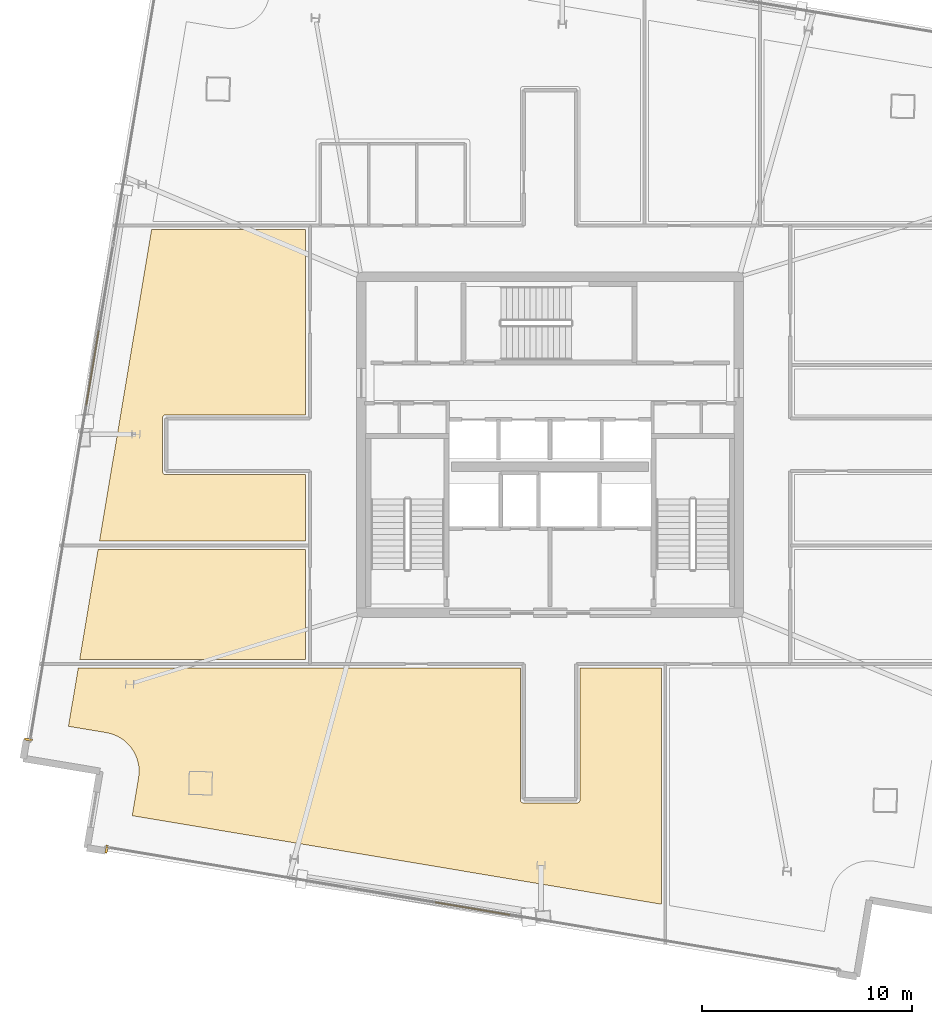
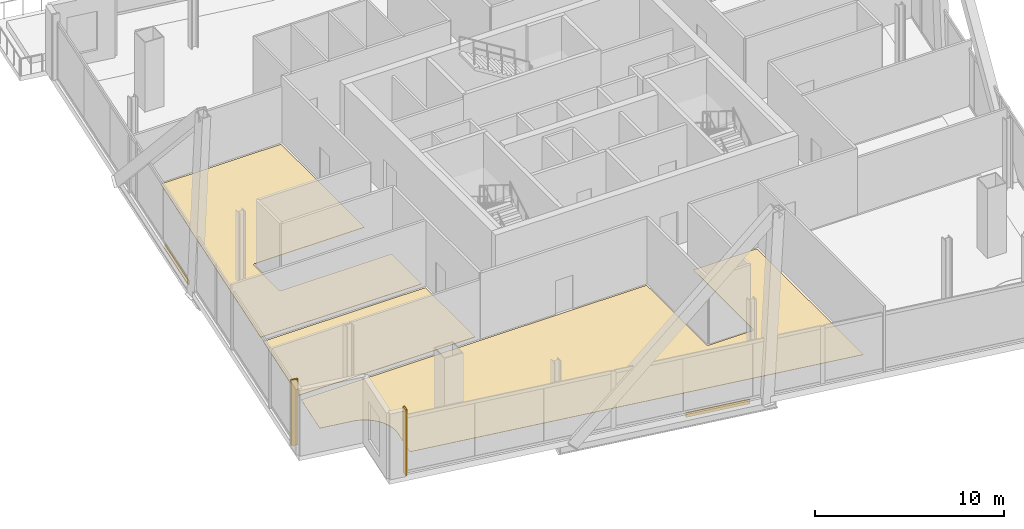
# One storey, part 16 of 18: 7 coverings.
"""IFC4 building model written with IfcOpenShell, lengths in metres."""

from ifc_helpers import new_model, si_unit, direction, frame, origin, origin_2d, place, context, subcontext, project, spatial, polyline, rectangle, outline, extrude, source, transform, mapped, material, layer, layer_set, type_object, element, save


model = new_model("IFC4")

# Units and contexts
model_context = context("Model", 3, precision=1e-05, world=origin(), true_north=direction((0.0, 1.0)))
body_context = subcontext(model_context, "Body", "Model", "MODEL_VIEW")
ifc_project = project(units=[si_unit("LENGTHUNIT", "METRE"), si_unit("AREAUNIT", "SQUARE_METRE"), si_unit("VOLUMEUNIT", "CUBIC_METRE"), si_unit("PLANEANGLEUNIT", "RADIAN"), si_unit("MASSUNIT", "GRAM", prefix="KILO")], contexts=[model_context])

# Site, building, storey
site_placement = place(None, origin())
site = spatial("IfcSite", under=ifc_project, at=site_placement, CompositionType="ELEMENT")
building_placement = place(site_placement, origin())
building = spatial("IfcBuilding", under=site, at=building_placement, Name="Haldenkirk Collegiate Tower", CompositionType="ELEMENT")
storey_placement = place(building_placement, frame((0.0, 0.0, 298.199951171875)))
storey = spatial("IfcBuildingStorey", under=building, at=storey_placement, Name="L75", CompositionType="ELEMENT", Elevation=298.199951171875)

# Coverings
ifc_material_1 = material(Name="Polished collegiate terrazzo", Category="concrete")
ifc_layer_1 = layer(ifc_material_1, 0.02490234375)
ifc_layer_set_1 = layer_set([ifc_layer_1], Name="Polished collegiate terrazzo")
covering_type_1 = type_object("IfcCoveringType", Name="COV-FLOOR-TERRAZZO", PredefinedType="FLOORING", material=ifc_layer_set_1)
covering_1_placement = place(storey_placement, origin())
element("IfcCovering", 1, at=covering_1_placement, inside=storey, type_object=covering_type_1, Name="L75 academic room finish 06", PredefinedType="FLOORING", context=body_context, shape_type="SweptSolid", body=[
    extrude(outline(polyline([(14.44921875, 21.0), (24.35009765625, 21.0), (24.35009765625, 15.75), (13.570556640625, 15.75), (14.44921875, 21.0)])), origin(), (0.0, 0.0, 1.0), 0.025146484375),
])
ifc_material_2 = material(Name="Engineered collegiate oak acoustic flooring", Category="wood")
ifc_layer_2 = layer(ifc_material_2, 0.02197265625)
ifc_layer_set_2 = layer_set([ifc_layer_2], Name="Engineered collegiate oak acoustic flooring")
covering_type_2 = type_object("IfcCoveringType", Name="COV-FLOOR-TIMBER", PredefinedType="FLOORING", material=ifc_layer_set_2)
covering_2_placement = place(storey_placement, origin())
element("IfcCovering", 2, at=covering_2_placement, inside=storey, type_object=covering_type_2, Name="L75 academic room finish 01", PredefinedType="FLOORING", context=body_context, shape_type="SweptSolid", body=[
    extrude(outline(polyline([(16.077880859375, 8.3154296875), (16.380126953125, 10.12060546875), (16.380859375, 10.126220703125), (16.40087890625, 10.296875), (16.401611328125, 10.30859375), (16.40478515625, 10.480224609375), (16.404541015625, 10.4921875), (16.390869140625, 10.663330078125), (16.389404296875, 10.6748046875), (16.35888671875, 10.843994140625), (16.356201171875, 10.85546875), (16.3095703125, 11.0205078125), (16.305908203125, 11.031982421875), (16.242919921875, 11.19189453125), (16.23828125, 11.202392578125), (16.16015625, 11.35546875), (16.154296875, 11.365478515625), (16.061279296875, 11.510009765625), (16.0546875, 11.519775390625), (15.947998046875, 11.654541015625), (15.940185546875, 11.663330078125), (15.8212890625, 11.787109375), (15.8125, 11.794921875), (15.681884765625, 11.906494140625), (15.672607421875, 11.91357421875), (15.531494140625, 12.01171875), (15.521484375, 12.01806640625), (15.37158203125, 12.101806640625), (15.361083984375, 12.10693359375), (15.20361328125, 12.175537109375), (15.192626953125, 12.1796875), (15.029296875, 12.232666015625), (15.017822265625, 12.235595703125), (14.85009765625, 12.272216796875), (14.84423828125, 12.2734375), (13.039306640625, 12.575439453125), (13.503662109375, 15.35009765625), (34.580078125, 15.35009765625), (34.580078125, 9.050048828125), (34.58056640625, 9.0380859375), (34.582275390625, 9.026611328125), (34.585205078125, 9.01513671875), (34.589111328125, 9.004150390625), (34.59423828125, 8.993408203125), (34.60009765625, 8.9833984375), (34.607177734375, 8.973876953125), (34.614990234375, 8.965087890625), (34.623779296875, 8.957275390625), (34.63330078125, 8.9501953125), (34.643310546875, 8.944091796875), (34.654052734375, 8.939208984375), (34.665283203125, 8.935302734375), (34.676513671875, 8.932373046875), (34.688232421875, 8.9306640625), (34.699951171875, 8.929931640625), (37.300048828125, 8.929931640625), (37.311767578125, 8.9306640625), (37.323486328125, 8.932373046875), (37.334716796875, 8.935302734375), (37.345947265625, 8.939208984375), (37.356689453125, 8.944091796875), (37.36669921875, 8.9501953125), (37.376220703125, 8.957275390625), (37.385009765625, 8.965087890625), (37.392822265625, 8.973876953125), (37.39990234375, 8.9833984375), (37.40576171875, 8.993408203125), (37.410888671875, 9.004150390625), (37.414794921875, 9.01513671875), (37.417724609375, 9.026611328125), (37.41943359375, 9.0380859375), (37.419921875, 9.050048828125), (37.419921875, 15.35009765625), (41.300048828125, 15.35009765625), (41.300048828125, 4.0947265625), (16.077880859375, 8.3154296875)])), origin(), (0.0, 0.0, 1.0), 0.02197265625),
])
covering_3_placement = place(storey_placement, origin())
element("IfcCovering", 3, at=covering_3_placement, inside=storey, type_object=covering_type_2, Name="L75 academic room finish 07", PredefinedType="FLOORING", context=body_context, shape_type="SweptSolid", body=[
    extrude(outline(polyline([(17.64990234375, 27.419921875), (17.63818359375, 27.41943359375), (17.626708984375, 27.417724609375), (17.615234375, 27.414794921875), (17.60400390625, 27.410888671875), (17.593505859375, 27.40576171875), (17.583251953125, 27.39990234375), (17.573974609375, 27.392822265625), (17.565185546875, 27.385009765625), (17.55712890625, 27.376220703125), (17.55029296875, 27.36669921875), (17.544189453125, 27.356689453125), (17.5390625, 27.345947265625), (17.53515625, 27.334716796875), (17.5322265625, 27.323486328125), (17.530517578125, 27.311767578125), (17.530029296875, 27.300048828125), (17.530029296875, 24.699951171875), (17.530517578125, 24.688232421875), (17.5322265625, 24.676513671875), (17.53515625, 24.665283203125), (17.5390625, 24.654052734375), (17.544189453125, 24.643310546875), (17.55029296875, 24.63330078125), (17.55712890625, 24.623779296875), (17.565185546875, 24.614990234375), (17.573974609375, 24.607177734375), (17.583251953125, 24.60009765625), (17.593505859375, 24.59423828125), (17.60400390625, 24.589111328125), (17.615234375, 24.585205078125), (17.626708984375, 24.582275390625), (17.63818359375, 24.58056640625), (17.64990234375, 24.580078125), (24.35009765625, 24.580078125), (24.35009765625, 21.39990234375), (14.51611328125, 21.39990234375), (17.001220703125, 36.25), (24.35009765625, 36.25), (24.35009765625, 27.419921875), (17.64990234375, 27.419921875)])), origin(), (0.0, 0.0, 1.0), 0.02197265625),
])
ifc_material_3 = material(Name="Anodised architectural bronze aluminium", Category="aluminium")
ifc_layer_3 = layer(ifc_material_3, 0.06005859375)
ifc_layer_set_3 = layer_set([ifc_layer_3], Name="Anodised architectural bronze aluminium")
covering_type_3 = type_object("IfcCoveringType", Name="COV-CLAD-BRONZE-60", PredefinedType="CLADDING", material=ifc_layer_set_3)
shared_shape_1 = source(origin(), body_context, "Body", "SweptSolid", [
    extrude(rectangle(XDim=3.60009765625, YDim=0.06005859375, at=origin_2d()), origin(), (0.0, 0.0, 1.0), 0.300048828125),
])
for number, where, z_axis, x_axis, name in (
    (4, (14.183349609375, 29.65087890625, -0.2998046875), (0.0, 0.0, 1.0), (0.165047605861, 0.986285601537, 0.0), "L75 architectural bronze spandrel cladding N"),
    (5, (32.299560546875, 3.887451171875, -0.2998046875), (0.0, 0.0, 1.0), (-0.986285601537, 0.165047605861, 0.0), "L75 architectural bronze spandrel cladding W"),
):
    element("IfcCovering", number, at=place(storey_placement, frame(where, z_axis=z_axis, x_axis=x_axis)), inside=storey, type_object=covering_type_3, Name=name, PredefinedType="CLADDING", context=body_context, shape_type="MappedRepresentation", body=[
        mapped(shared_shape_1, transform((0.0, 0.0, 0.0), x_axis=(1.0, 0.0, 0.0), y_axis=(0.0, 1.0, 0.0), z_axis=(0.0, 0.0, 1.0), scale=1.0)),
    ])
shared_shape_2 = source(origin(), body_context, "Body", "SweptSolid", [
    extrude(rectangle(XDim=0.10009765625, YDim=0.3798828125, at=origin_2d()), origin(), (0.0, 0.0, 1.0), 4.239990234375),
])
for number, where, z_axis, x_axis, name in (
    (6, (11.128662109375, 11.942138671875, 0.0), (0.0, 0.0, 1.0), (0.165047605861, 0.986285601537, 0.0), "L75 recessed curtain-wall bronze jamb closure NJL"),
    (7, (14.857177734375, 6.715087890625, 0.0), (0.0, 0.0, 1.0), (-0.986285601537, 0.165047605861, 0.0), "L75 recessed curtain-wall bronze jamb closure WJR"),
):
    element("IfcCovering", number, at=place(storey_placement, frame(where, z_axis=z_axis, x_axis=x_axis)), inside=storey, type_object=covering_type_3, Name=name, PredefinedType="CLADDING", context=body_context, shape_type="MappedRepresentation", body=[
        mapped(shared_shape_2, transform((0.0, 0.0, 0.0), x_axis=(1.0, 0.0, 0.0), y_axis=(0.0, 1.0, 0.0), z_axis=(0.0, 0.0, 1.0), scale=1.0)),
    ])

save(model, "model.ifc")
